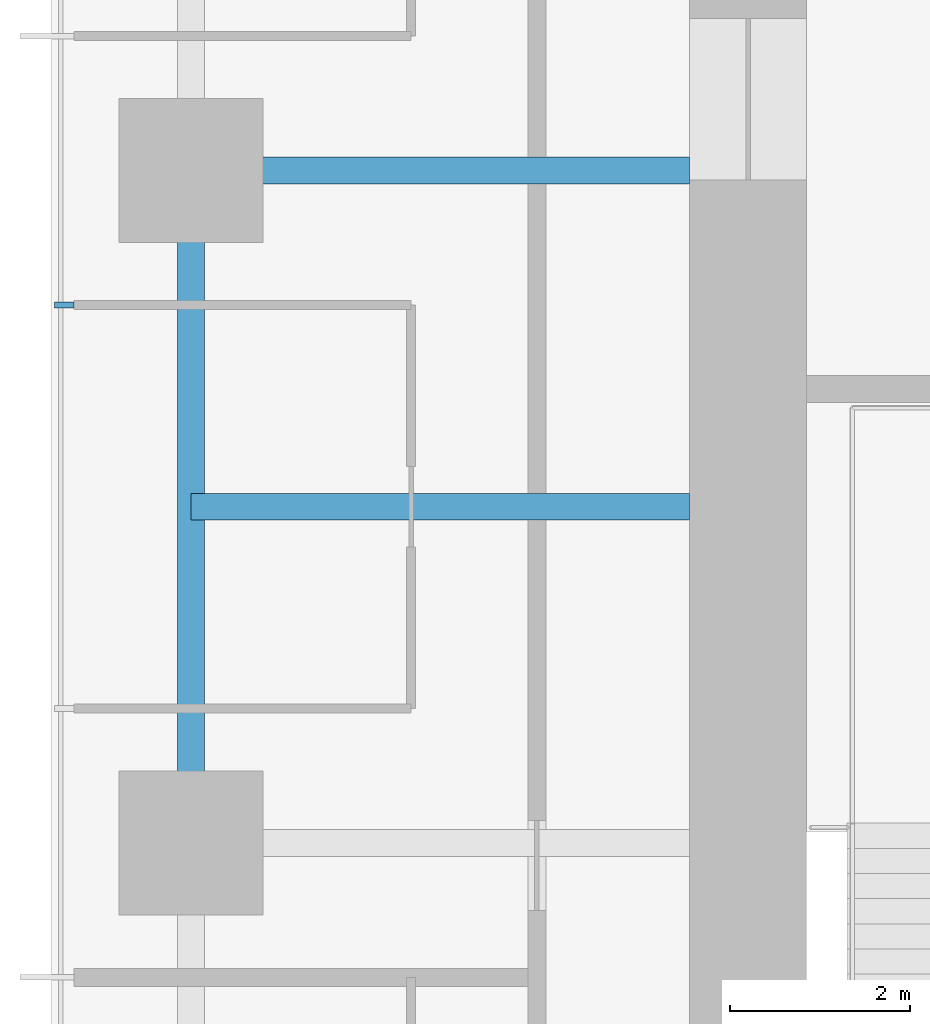
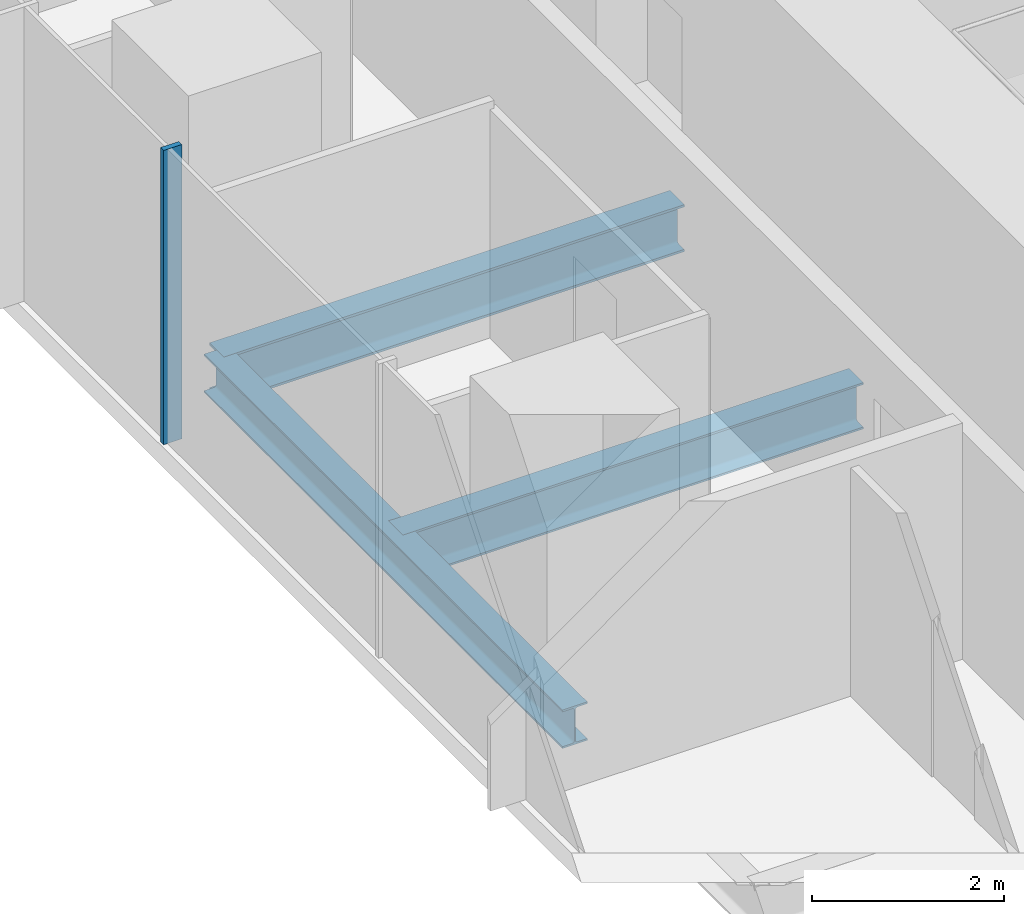
# One storey, part 3 of 12: 3 beams, 1 member, 1 element without a shape of its own.
"""IFC4 building model written with IfcOpenShell, lengths in metres."""

from ifc_helpers import new_model, si_unit, direction, frame, origin, origin_2d, place, context, subcontext, project, spatial, rectangle, i_section, extrude, material, material_profile, profile_set, type_object, element, aggregate, save


model = new_model("IFC4")

# Units and contexts
model_context = context("Model", 3, precision=1e-05, world=origin(), true_north=direction((0.0, 1.0)))
body_context = subcontext(model_context, "Body", "Model", "MODEL_VIEW")
ifc_project = project(units=[si_unit("LENGTHUNIT", "METRE"), si_unit("AREAUNIT", "SQUARE_METRE"), si_unit("VOLUMEUNIT", "CUBIC_METRE"), si_unit("PLANEANGLEUNIT", "RADIAN"), si_unit("MASSUNIT", "GRAM", prefix="KILO")], contexts=[model_context])

# Site, building, storey
site_placement = place(None, origin())
site = spatial("IfcSite", under=ifc_project, at=site_placement, CompositionType="ELEMENT")
building_placement = place(site_placement, origin())
building = spatial("IfcBuilding", under=site, at=building_placement, Name="Khuree Lantern Residences", CompositionType="ELEMENT")
storey_placement = place(building_placement, frame((0.0, 0.0, 330.75)))
storey = spatial("IfcBuildingStorey", under=building, at=storey_placement, Name="L83", CompositionType="ELEMENT", Elevation=330.75)

# Beams
ifc_material_1 = material(Name="Steel S355", Category="steel")
ifc_material_profile_1 = material_profile(ifc_material_1, i_section(OverallWidth=0.300048828125, OverallDepth=0.590087890625, WebThickness=0.012939453125, FlangeThickness=0.02490234375, FilletRadius=0.027099609375, at=origin_2d()), Name="HE 600 A")
ifc_profile_set_1 = profile_set([ifc_material_profile_1], Name="Steel S355")
beam_type_1 = type_object("IfcBeamType", Name="B-44 SECONDARY BEAM HE 600 A", PredefinedType="BEAM", material=ifc_profile_set_1)
beam_1_placement = place(storey_placement, frame((-21.699951171875, 3.739990234375, -0.544921875), z_axis=(1.0, 0.0, 0.0), x_axis=(0.0, 1.0, 0.0)))
element("IfcBeam", 1, at=beam_1_placement, inside=storey, type_object=beam_type_1, Name="Secondary beam W4", PredefinedType="BEAM", context=body_context, shape_type="SweptSolid", body=[
    extrude(i_section(OverallWidth=0.300048828125, OverallDepth=0.590087890625, WebThickness=0.012939453125, FlangeThickness=0.02490234375, FilletRadius=0.027099609375, at=origin_2d()), origin(), (0.0, 0.0, 1.0), 5.550048828125),
])
ifc_material_profile_2 = material_profile(ifc_material_1, i_section(OverallWidth=0.300048828125, OverallDepth=0.489990234375, WebThickness=0.011962890625, FlangeThickness=0.02294921875, FilletRadius=0.027099609375, at=origin_2d()), Name="HE 500 A")
ifc_profile_set_2 = profile_set([ifc_material_profile_2], Name="Steel S355")
beam_type_2 = type_object("IfcBeamType", Name="E-44 SPANDREL BEAM HE 500 A", PredefinedType="SPANDREL", material=ifc_profile_set_2)
beam_2_placement = place(storey_placement, frame((-21.699951171875, 0.0, -0.4951171875), z_axis=(0.0, 1.0, 0.0), x_axis=(-1.0, 0.0, 0.0)))
element("IfcBeam", 2, at=beam_2_placement, inside=storey, type_object=beam_type_2, Name="Spandrel beam W4", PredefinedType="SPANDREL", context=body_context, shape_type="SweptSolid", body=[
    extrude(i_section(OverallWidth=0.300048828125, OverallDepth=0.489990234375, WebThickness=0.011962890625, FlangeThickness=0.02294921875, FilletRadius=0.027099609375, at=origin_2d()), origin(), (0.0, 0.0, 1.0), 7.47998046875),
])
ifc_material_profile_3 = material_profile(ifc_material_1, i_section(OverallWidth=0.300048828125, OverallDepth=0.60009765625, WebThickness=0.015380859375, FlangeThickness=0.030029296875, FilletRadius=0.027099609375, at=origin_2d()), Name="HE 600 B")
ifc_profile_set_3 = profile_set([ifc_material_profile_3], Name="Steel S355")
beam_type_3 = type_object("IfcBeamType", Name="G-44 GIRDER HE 600 B", PredefinedType="BEAM", material=ifc_profile_set_3)
beam_3_placement = place(storey_placement, frame((-21.699951171875, 7.47998046875, -0.550048828125), z_axis=(1.0, 0.0, 0.0), x_axis=(0.0, 1.0, 0.0)))
element("IfcBeam", 3, at=beam_3_placement, inside=storey, type_object=beam_type_3, Name="Girder W4", PredefinedType="BEAM", context=body_context, shape_type="SweptSolid", body=[
    extrude(i_section(OverallWidth=0.300048828125, OverallDepth=0.60009765625, WebThickness=0.015380859375, FlangeThickness=0.030029296875, FilletRadius=0.027099609375, at=origin_2d()), origin(), (0.0, 0.0, 1.0), 5.550048828125),
])

# Curtain wall, member
ifc_material_2 = material(Name="Bronze anodised aluminium", Category="aluminium")
curtain_wall_type = type_object("IfcCurtainWallType", Name="CW-T1 TOWER FACE CURTAIN WALL", PredefinedType="USERDEFINED", material=ifc_material_2)
curtain_wall_placement = place(storey_placement, origin())
curtain_wall = element("IfcCurtainWall", 4, at=curtain_wall_placement, inside=storey, type_object=curtain_wall_type, Name="L83 WEST FACE CURTAIN WALL", ObjectType="Stick-built curtain wall", PredefinedType="USERDEFINED")
ifc_material_profile_4 = material_profile(ifc_material_2, rectangle(XDim=0.06494140625, YDim=0.219970703125, at=origin_2d()), Name="M1 65X220")
ifc_profile_set_4 = profile_set([ifc_material_profile_4], Name="Bronze anodised aluminium")
member_type = type_object("IfcMemberType", Name="M1 BRONZE MULLION TOWER 65X220", PredefinedType="MULLION", material=ifc_profile_set_4)
member_placement = place(storey_placement, frame((-23.110107421875, 5.98388671875, 0.0), z_axis=(0.0, 0.0, 1.0), x_axis=(0.0, -1.0, 0.0)))
member = element("IfcMember", 5, at=member_placement, type_object=member_type, Name="L83 WEST FACE MULLION 36", PredefinedType="MULLION", context=body_context, shape_type="SweptSolid", body=[
    extrude(rectangle(XDim=0.06494140625, YDim=0.219970703125, at=origin_2d()), origin(), (0.0, 0.0, 1.0), 3.75),
])
aggregate(curtain_wall, [member])

save(model, "model.ifc")
